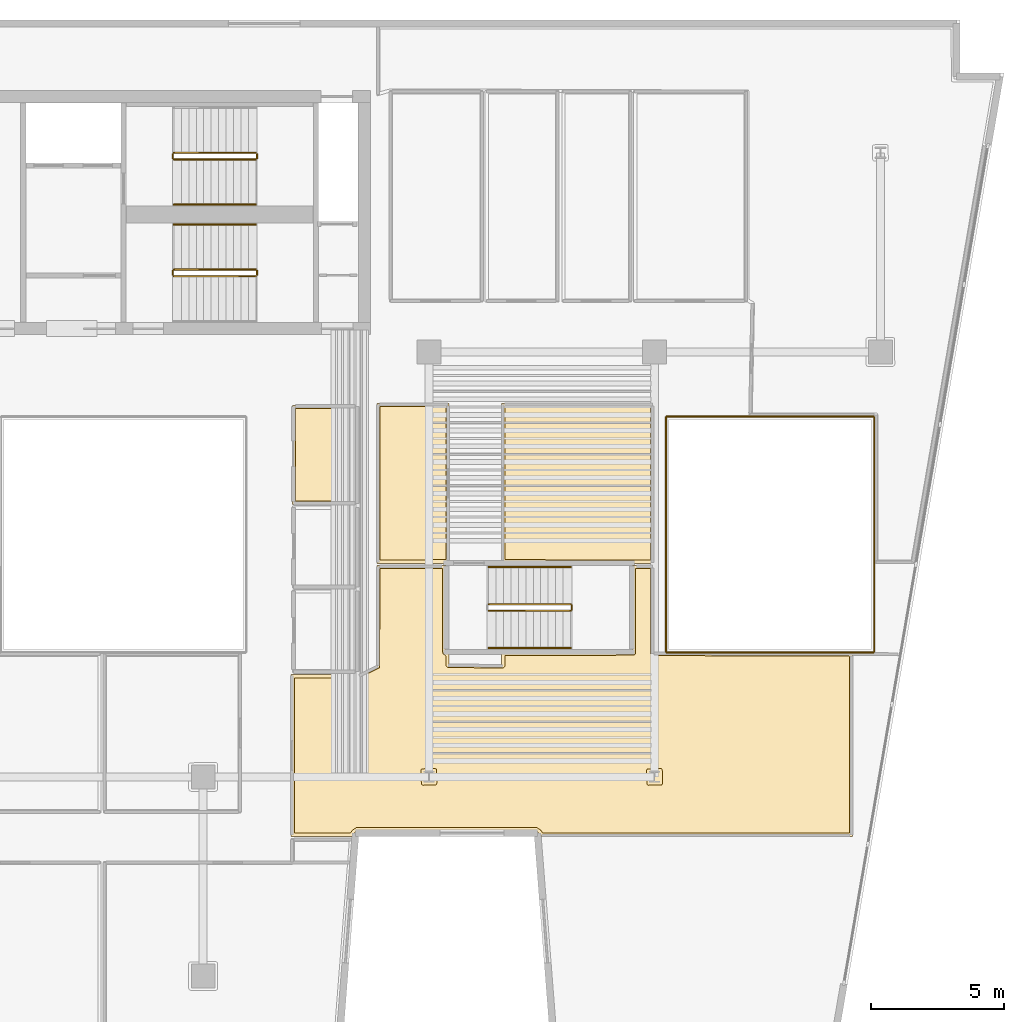
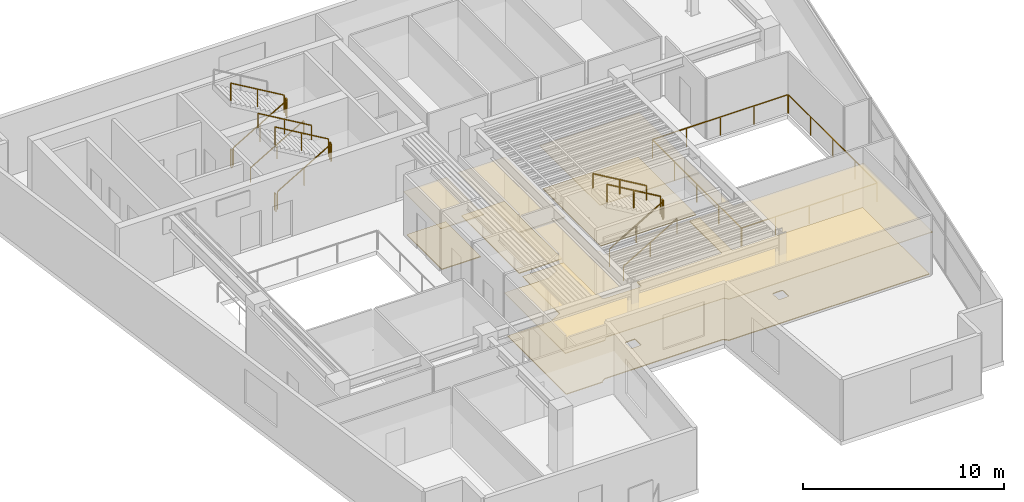
# One storey, part 8 of 9: 19 railings, 8 coverings.
"""IFC4 building model written with IfcOpenShell, lengths in metres."""

from ifc_helpers import new_model, si_unit, direction, frame, origin, origin_2d, place, context, subcontext, project, spatial, polyline, rectangle, outline, extrude, material, layer, layer_set, type_object, element, save


model = new_model("IFC4")

# Units and contexts
model_context = context("Model", 3, precision=1e-05, world=origin(), true_north=direction((0.0, 1.0)))
body_context = subcontext(model_context, "Body", "Model", "MODEL_VIEW")
ifc_project = project(units=[si_unit("LENGTHUNIT", "METRE"), si_unit("AREAUNIT", "SQUARE_METRE"), si_unit("VOLUMEUNIT", "CUBIC_METRE"), si_unit("PLANEANGLEUNIT", "RADIAN"), si_unit("MASSUNIT", "GRAM", prefix="KILO")], contexts=[model_context])

# Site, building, storey
site_placement = place(None, origin())
site = spatial("IfcSite", under=ifc_project, at=site_placement, CompositionType="ELEMENT")
building_placement = place(site_placement, origin())
building = spatial("IfcBuilding", under=site, at=building_placement, Name="Caeloran Harvest Quay", CompositionType="ELEMENT")
storey_placement = place(building_placement, frame((0.0, 0.0, 199.550048828125)))
storey = spatial("IfcBuildingStorey", under=building, at=storey_placement, Name="L47", CompositionType="ELEMENT", Elevation=199.550048828125)

# Coverings
ifc_material_1 = material(Name="Perforated Mineral-Fibre Acoustic Ceiling Tile", Category="ceiling")
ifc_layer_1 = layer(ifc_material_1, 0.0400390625, Name="Perforated Mineral-Fibre Acoustic Ceiling Tile")
ifc_layer_set_1 = layer_set([ifc_layer_1], Name="Perforated Mineral-Fibre Acoustic Ceiling Tile")
covering_type_1 = type_object("IfcCoveringType", Name="COV-CEILING-ACOUSTIC", PredefinedType="CEILING", material=ifc_layer_set_1)
covering_1_placement = place(storey_placement, frame((0.0, 0.0, 2.599853515625)))
element("IfcCovering", 1, at=covering_1_placement, inside=storey, type_object=covering_type_1, Name="L47 Male Washroom WC Acoustic Ceiling", PredefinedType="CEILING", context=body_context, shape_type="SweptSolid", body=[
    extrude(outline(polyline([(22.840087890625, 28.989990234375), (22.840087890625, 25.260009765625), (20.360107421875, 25.260009765625), (20.360107421875, 28.989990234375), (22.840087890625, 28.989990234375)])), origin(), (0.0, 0.0, 1.0), 0.0400390625),
])
covering_2_placement = place(storey_placement, frame((0.0, 0.0, 2.599853515625)))
element("IfcCovering", 2, at=covering_2_placement, inside=storey, type_object=covering_type_1, Name="Corporate Legal Counsel Office Acoustic Ceiling", PredefinedType="CEILING", context=body_context, shape_type="SweptSolid", body=[
    extrude(outline(polyline([(33.159912109375, 22.9599609375), (33.9599609375, 22.9599609375), (33.9599609375, 19.679931640625), (41.4599609375, 19.659912109375), (41.4599609375, 12.760009765625), (29.727294921875, 12.760009765625), (29.64111328125, 12.887451171875), (29.54150390625, 12.969970703125), (22.78515625, 12.969970703125), (22.685302734375, 12.887451171875), (22.59912109375, 12.760009765625), (20.31005859375, 12.760009765625), (20.31005859375, 18.85009765625), (22.87353515625, 18.85009765625), (23.5400390625, 19.184814453125), (23.5400390625, 22.9599609375), (26.139892578125, 22.9599609375), (26.139892578125, 19.69921875), (26.260009765625, 19.604248046875), (26.260009765625, 19.239501953125), (28.239990234375, 19.210693359375), (28.239990234375, 19.68994140625), (33.159912109375, 19.68994140625), (33.159912109375, 22.9599609375)])), origin(), (0.0, 0.0, 1.0), 0.0400390625),
])
covering_3_placement = place(storey_placement, frame((0.0, 0.0, 2.599853515625)))
element("IfcCovering", 3, at=covering_3_placement, inside=storey, type_object=covering_type_1, Name="Interview Meeting Room Acoustic Ceiling", PredefinedType="CEILING", context=body_context, shape_type="SweptSolid", body=[
    extrude(outline(polyline([(26.13720703125, 23.06005859375), (26.1298828125, 23.0400390625), (23.5400390625, 23.0400390625), (23.5400390625, 29.06005859375), (26.260009765625, 29.06005859375), (26.260009765625, 23.06005859375), (26.13720703125, 23.06005859375)])), origin(), (0.0, 0.0, 1.0), 0.0400390625),
])
covering_4_placement = place(storey_placement, frame((0.0, 0.0, 2.599853515625)))
element("IfcCovering", 4, at=covering_4_placement, inside=storey, type_object=covering_type_1, Name="Staff Tea Kitchen Acoustic Ceiling", PredefinedType="CEILING", context=body_context, shape_type="SweptSolid", body=[
    extrude(outline(polyline([(33.162841796875, 23.06005859375), (28.239990234375, 23.06005859375), (28.239990234375, 29.06005859375), (33.9599609375, 29.06005859375), (33.9599609375, 23.0400390625), (33.170166015625, 23.0400390625), (33.162841796875, 23.06005859375)])), origin(), (0.0, 0.0, 1.0), 0.0400390625),
])
ifc_material_2 = material(Name="Calcium-Sulphate Raised Access Floor and Terrazzo Finish", Category="flooring")
ifc_layer_2 = layer(ifc_material_2, 0.050048828125, Name="Calcium-Sulphate Raised Access Floor and Terrazzo Finish")
ifc_layer_set_2 = layer_set([ifc_layer_2], Name="Calcium-Sulphate Raised Access Floor and Terrazzo Finish")
covering_type_2 = type_object("IfcCoveringType", Name="COV-FLOOR-RAISED", PredefinedType="FLOORING", material=ifc_layer_set_2)
covering_5_placement = place(storey_placement, origin())
element("IfcCovering", 5, at=covering_5_placement, inside=storey, type_object=covering_type_2, Name="L47 Male Washroom WC Raised Finish Flooring", PredefinedType="FLOORING", context=body_context, shape_type="SweptSolid", body=[
    extrude(outline(polyline([(22.719970703125, 28.8701171875), (22.719970703125, 25.3798828125), (20.47998046875, 25.3798828125), (20.47998046875, 28.8701171875), (22.719970703125, 28.8701171875)])), origin(), (0.0, 0.0, 1.0), 0.050048828125),
])
covering_6_placement = place(storey_placement, origin())
element("IfcCovering", 6, at=covering_6_placement, inside=storey, type_object=covering_type_2, Name="Corporate Legal Counsel Office Raised Finish Flooring", PredefinedType="FLOORING", context=body_context, shape_type="SweptSolid", body=[
    extrude(outline(polyline([(22.54296875, 12.8798828125), (20.429931640625, 12.8798828125), (20.429931640625, 18.72998046875), (22.890380859375, 18.73046875), (23.64111328125, 19.1083984375), (23.659912109375, 22.840087890625), (26.02001953125, 22.840087890625), (26.02001953125, 19.679931640625), (26.038818359375, 19.62841796875), (26.139892578125, 19.54638671875), (26.1416015625, 19.1845703125), (26.203369140625, 19.12158203125), (28.294677734375, 19.09130859375), (28.359619140625, 19.162109375), (28.360107421875, 19.570068359375), (33.23779296875, 19.579345703125), (33.280029296875, 19.64990234375), (33.280029296875, 22.840087890625), (33.840087890625, 22.840087890625), (33.840087890625, 19.639892578125), (33.88916015625, 19.566162109375), (41.340087890625, 19.540283203125), (41.340087890625, 12.8798828125), (29.783447265625, 12.8798828125), (29.709716796875, 12.990478515625), (29.559326171875, 13.090087890625), (22.76708984375, 13.090087890625), (22.616943359375, 12.990478515625), (22.54296875, 12.8798828125)]), holes=[polyline([(34.302490234375, 14.754150390625), (34.284912109375, 15.288818359375), (34.230712890625, 15.317626953125), (33.726318359375, 15.2998046875), (33.697021484375, 15.238037109375), (33.715087890625, 14.711181640625), (33.777099609375, 14.681884765625), (34.273681640625, 14.7001953125), (34.302490234375, 14.754150390625)]), polyline([(25.802490234375, 14.754150390625), (25.784912109375, 15.288818359375), (25.730712890625, 15.317626953125), (25.226318359375, 15.2998046875), (25.197021484375, 15.238037109375), (25.215087890625, 14.711181640625), (25.277099609375, 14.681884765625), (25.773681640625, 14.7001953125), (25.802490234375, 14.754150390625)])]), origin(), (0.0, 0.0, 1.0), 0.050048828125),
])
covering_7_placement = place(storey_placement, origin())
element("IfcCovering", 7, at=covering_7_placement, inside=storey, type_object=covering_type_2, Name="Interview Meeting Room Raised Finish Flooring", PredefinedType="FLOORING", context=body_context, shape_type="SweptSolid", body=[
    extrude(outline(polyline([(26.139892578125, 23.179931640625), (23.659912109375, 23.159912109375), (23.659912109375, 28.93994140625), (26.139892578125, 28.93994140625), (26.139892578125, 23.179931640625)])), origin(), (0.0, 0.0, 1.0), 0.050048828125),
])
covering_8_placement = place(storey_placement, origin())
element("IfcCovering", 8, at=covering_8_placement, inside=storey, type_object=covering_type_2, Name="Staff Tea Kitchen Raised Finish Flooring", PredefinedType="FLOORING", context=body_context, shape_type="SweptSolid", body=[
    extrude(outline(polyline([(33.840087890625, 23.159912109375), (28.360107421875, 23.179931640625), (28.360107421875, 28.93994140625), (33.840087890625, 28.93994140625), (33.840087890625, 23.159912109375)])), origin(), (0.0, 0.0, 1.0), 0.050048828125),
])

# Railings
ifc_material_3 = material(Name="Powder-Coated Steel Post and Laminated Glass Guardrail", Category="steel")
ifc_layer_3 = layer(ifc_material_3, 0.06005859375, Name="Powder-Coated Steel Post and Laminated Glass Guardrail")
ifc_layer_set_3 = layer_set([ifc_layer_3], Name="Powder-Coated Steel Post and Laminated Glass Guardrail")
railing_type_1 = type_object("IfcRailingType", Name="GUARD-ATRIUM-1150", PredefinedType="GUARDRAIL", material=ifc_layer_set_3)
railing_1_placement = place(storey_placement, frame((34.4619140625, 19.679931640625, 0.0)))
element("IfcRailing", 9, at=railing_1_placement, inside=storey, type_object=railing_type_1, Name="L47 East Botanical Lightwell Guardrail Seg 1", PredefinedType="GUARDRAIL", context=body_context, shape_type="SweptSolid", body=[
    extrude(rectangle(XDim=0.048095703125, YDim=0.048095703125, at=origin_2d()), frame((0.0, 0.0, 1.1259765625), z_axis=(1.0, 0.0, 0.0), x_axis=(0.0, 1.0, 0.0)), (0.0, 0.0, 1.0), 7.776123046875),
    extrude(rectangle(XDim=0.0419921875, YDim=0.0419921875, at=origin_2d()), origin(), (0.0, 0.0, 1.0), 1.101806640625),
    extrude(rectangle(XDim=0.0419921875, YDim=0.0419921875, at=origin_2d()), frame((1.944091796875, 0.0, 0.0)), (0.0, 0.0, 1.0), 1.101806640625),
    extrude(rectangle(XDim=0.0419921875, YDim=0.0419921875, at=origin_2d()), frame((3.88818359375, 0.0, 0.0)), (0.0, 0.0, 1.0), 1.101806640625),
    extrude(rectangle(XDim=0.0419921875, YDim=0.0419921875, at=origin_2d()), frame((5.83203125, 0.0, 0.0)), (0.0, 0.0, 1.0), 1.101806640625),
    extrude(rectangle(XDim=0.0419921875, YDim=0.0419921875, at=origin_2d()), frame((7.776123046875, 0.0, 0.0)), (0.0, 0.0, 1.0), 1.101806640625),
])
railing_2_placement = place(storey_placement, frame((42.27001953125, 19.7119140625, 0.0)))
element("IfcRailing", 10, at=railing_2_placement, inside=storey, type_object=railing_type_1, Name="L47 East Botanical Lightwell Guardrail Seg 2", PredefinedType="GUARDRAIL", context=body_context, shape_type="SweptSolid", body=[
    extrude(rectangle(XDim=0.048095703125, YDim=0.048095703125, at=origin_2d()), frame((0.0, 0.0, 1.1259765625), z_axis=(0.0, 1.0, 0.0), x_axis=(-1.0, 0.0, 0.0)), (0.0, 0.0, 1.0), 8.826171875),
    extrude(rectangle(XDim=0.0419921875, YDim=0.0419921875, at=origin_2d()), origin(), (0.0, 0.0, 1.0), 1.101806640625),
    extrude(rectangle(XDim=0.0419921875, YDim=0.0419921875, at=origin_2d()), frame((0.0, 2.20654296875, 0.0)), (0.0, 0.0, 1.0), 1.101806640625),
    extrude(rectangle(XDim=0.0419921875, YDim=0.0419921875, at=origin_2d()), frame((0.0, 4.4130859375, 0.0)), (0.0, 0.0, 1.0), 1.101806640625),
    extrude(rectangle(XDim=0.0419921875, YDim=0.0419921875, at=origin_2d()), frame((0.0, 6.61962890625, 0.0)), (0.0, 0.0, 1.0), 1.101806640625),
    extrude(rectangle(XDim=0.0419921875, YDim=0.0419921875, at=origin_2d()), frame((0.0, 8.826171875, 0.0)), (0.0, 0.0, 1.0), 1.101806640625),
])
railing_3_placement = place(storey_placement, frame((42.238037109375, 28.570068359375, 0.0)))
element("IfcRailing", 11, at=railing_3_placement, inside=storey, type_object=railing_type_1, Name="L47 East Botanical Lightwell Guardrail Seg 3", PredefinedType="GUARDRAIL", context=body_context, shape_type="SweptSolid", body=[
    extrude(rectangle(XDim=0.048095703125, YDim=0.048095703125, at=origin_2d()), frame((0.0, 0.0, 1.1259765625), z_axis=(-1.0, 0.0, 0.0), x_axis=(0.0, -1.0, 0.0)), (0.0, 0.0, 1.0), 7.776123046875),
    extrude(rectangle(XDim=0.0419921875, YDim=0.0419921875, at=origin_2d()), origin(), (0.0, 0.0, 1.0), 1.101806640625),
    extrude(rectangle(XDim=0.0419921875, YDim=0.0419921875, at=origin_2d()), frame((-1.944091796875, 0.0, 0.0)), (0.0, 0.0, 1.0), 1.101806640625),
    extrude(rectangle(XDim=0.0419921875, YDim=0.0419921875, at=origin_2d()), frame((-3.88818359375, 0.0, 0.0)), (0.0, 0.0, 1.0), 1.101806640625),
    extrude(rectangle(XDim=0.0419921875, YDim=0.0419921875, at=origin_2d()), frame((-5.83203125, 0.0, 0.0)), (0.0, 0.0, 1.0), 1.101806640625),
    extrude(rectangle(XDim=0.0419921875, YDim=0.0419921875, at=origin_2d()), frame((-7.776123046875, 0.0, 0.0)), (0.0, 0.0, 1.0), 1.101806640625),
])
railing_4_placement = place(storey_placement, frame((34.429931640625, 28.5380859375, 0.0)))
element("IfcRailing", 12, at=railing_4_placement, inside=storey, type_object=railing_type_1, Name="L47 East Botanical Lightwell Guardrail Seg 4", PredefinedType="GUARDRAIL", context=body_context, shape_type="SweptSolid", body=[
    extrude(rectangle(XDim=0.048095703125, YDim=0.048095703125, at=origin_2d()), frame((0.0, 0.0, 1.1259765625), z_axis=(0.0, -1.0, 0.0), x_axis=(1.0, 0.0, 0.0)), (0.0, 0.0, 1.0), 8.826171875),
    extrude(rectangle(XDim=0.0419921875, YDim=0.0419921875, at=origin_2d()), origin(), (0.0, 0.0, 1.0), 1.101806640625),
    extrude(rectangle(XDim=0.0419921875, YDim=0.0419921875, at=origin_2d()), frame((0.0, -2.20654296875, 0.0)), (0.0, 0.0, 1.0), 1.101806640625),
    extrude(rectangle(XDim=0.0419921875, YDim=0.0419921875, at=origin_2d()), frame((0.0, -4.4130859375, 0.0)), (0.0, 0.0, 1.0), 1.101806640625),
    extrude(rectangle(XDim=0.0419921875, YDim=0.0419921875, at=origin_2d()), frame((0.0, -6.61962890625, 0.0)), (0.0, 0.0, 1.0), 1.101806640625),
    extrude(rectangle(XDim=0.0419921875, YDim=0.0419921875, at=origin_2d()), frame((0.0, -8.826171875, 0.0)), (0.0, 0.0, 1.0), 1.101806640625),
])
ifc_material_4 = material(Name="Painted Steel Baluster and Top-Rail Stair Guard", Category="steel")
ifc_layer_4 = layer(ifc_material_4, 0.050048828125, Name="Painted Steel Baluster and Top-Rail Stair Guard")
ifc_layer_set_4 = layer_set([ifc_layer_4], Name="Painted Steel Baluster and Top-Rail Stair Guard")
railing_type_2 = type_object("IfcRailingType", Name="STAIR-GUARD-1100", PredefinedType="GUARDRAIL", material=ifc_layer_set_4)
railing_5_placement = place(storey_placement, frame((15.89990234375, 38.25, 0.16455078125)))
element("IfcRailing", 13, at=railing_5_placement, inside=storey, type_object=railing_type_2, Name="L47 ST-C1 stair guard 1", PredefinedType="GUARDRAIL", context=body_context, shape_type="SweptSolid", body=[
    extrude(rectangle(XDim=0.048095703125, YDim=0.048095703125, at=origin_2d()), frame((0.0, 0.0, 1.076171875), z_axis=(0.862118610829, 0.0, 0.506706523406), x_axis=(0.0, 1.0, 0.0)), (0.0, 0.0, 1.0), 3.57275390625),
    extrude(rectangle(XDim=0.0419921875, YDim=0.0419921875, at=origin_2d()), origin(), (0.0, 0.0, 1.0), 1.052001953125),
    extrude(rectangle(XDim=0.0419921875, YDim=0.0419921875, at=origin_2d()), frame((1.5400390625, 0.0, 0.9052734375)), (0.0, 0.0, 1.0), 1.052001953125),
    extrude(rectangle(XDim=0.0419921875, YDim=0.0419921875, at=origin_2d()), frame((3.080078125, 0.0, 1.810302734375)), (0.0, 0.0, 1.0), 1.052001953125),
])
railing_6_placement = place(storey_placement, frame((19.030029296875, 38.300048828125, 1.974853515625)))
element("IfcRailing", 14, at=railing_6_placement, inside=storey, type_object=railing_type_2, Name="L47 ST-C1 stair guard 2", PredefinedType="GUARDRAIL", context=body_context, shape_type="SweptSolid", body=[
    extrude(rectangle(XDim=0.048095703125, YDim=0.048095703125, at=origin_2d()), frame((0.0, 0.0, 1.076171875), z_axis=(0.0, 1.0, 0.0), x_axis=(-1.0, 0.0, 0.0)), (0.0, 0.0, 1.0), 0.14990234375),
    extrude(rectangle(XDim=0.0419921875, YDim=0.0419921875, at=origin_2d()), origin(), (0.0, 0.0, 1.0), 1.052001953125),
    extrude(rectangle(XDim=0.0419921875, YDim=0.0419921875, at=origin_2d()), frame((0.0, 0.14990234375, 0.0)), (0.0, 0.0, 1.0), 1.052001953125),
])
railing_7_placement = place(storey_placement, frame((18.97998046875, 38.5, 2.1396484375)))
element("IfcRailing", 15, at=railing_7_placement, inside=storey, type_object=railing_type_2, Name="L47 ST-C1 stair guard 3", PredefinedType="GUARDRAIL", context=body_context, shape_type="SweptSolid", body=[
    extrude(rectangle(XDim=0.048095703125, YDim=0.048095703125, at=origin_2d()), frame((0.0, 0.0, 1.076171875), z_axis=(-0.862118610829, 0.0, 0.506706523406), x_axis=(0.0, -1.0, 0.0)), (0.0, 0.0, 1.0), 3.57275390625),
    extrude(rectangle(XDim=0.0419921875, YDim=0.0419921875, at=origin_2d()), origin(), (0.0, 0.0, 1.0), 1.052001953125),
    extrude(rectangle(XDim=0.0419921875, YDim=0.0419921875, at=origin_2d()), frame((-1.5400390625, 0.0, 0.9052734375)), (0.0, 0.0, 1.0), 1.052001953125),
    extrude(rectangle(XDim=0.0419921875, YDim=0.0419921875, at=origin_2d()), frame((-3.080078125, 0.0, 1.810302734375)), (0.0, 0.0, 1.0), 1.052001953125),
])
railing_8_placement = place(storey_placement, frame((15.85009765625, 38.300048828125, 0.0)))
element("IfcRailing", 16, at=railing_8_placement, inside=storey, type_object=railing_type_2, Name="L47 ST-C1 stair guard 4", PredefinedType="GUARDRAIL", context=body_context, shape_type="SweptSolid", body=[
    extrude(rectangle(XDim=0.048095703125, YDim=0.048095703125, at=origin_2d()), frame((0.0, 0.0, 1.076171875), z_axis=(0.0, 1.0, 0.0), x_axis=(-1.0, 0.0, 0.0)), (0.0, 0.0, 1.0), 0.14990234375),
    extrude(rectangle(XDim=0.0419921875, YDim=0.0419921875, at=origin_2d()), origin(), (0.0, 0.0, 1.0), 1.052001953125),
    extrude(rectangle(XDim=0.0419921875, YDim=0.0419921875, at=origin_2d()), frame((0.0, 0.14990234375, 0.0)), (0.0, 0.0, 1.0), 1.052001953125),
])
railing_9_placement = place(storey_placement, frame((15.89990234375, 33.85009765625, 0.16455078125)))
element("IfcRailing", 17, at=railing_9_placement, inside=storey, type_object=railing_type_2, Name="L47 ST-C2 stair guard 1", PredefinedType="GUARDRAIL", context=body_context, shape_type="SweptSolid", body=[
    extrude(rectangle(XDim=0.048095703125, YDim=0.048095703125, at=origin_2d()), frame((0.0, 0.0, 1.076171875), z_axis=(0.862118610829, 0.0, 0.506706523406), x_axis=(0.0, 1.0, 0.0)), (0.0, 0.0, 1.0), 3.57275390625),
    extrude(rectangle(XDim=0.0419921875, YDim=0.0419921875, at=origin_2d()), origin(), (0.0, 0.0, 1.0), 1.052001953125),
    extrude(rectangle(XDim=0.0419921875, YDim=0.0419921875, at=origin_2d()), frame((1.5400390625, 0.0, 0.9052734375)), (0.0, 0.0, 1.0), 1.052001953125),
    extrude(rectangle(XDim=0.0419921875, YDim=0.0419921875, at=origin_2d()), frame((3.080078125, 0.0, 1.810302734375)), (0.0, 0.0, 1.0), 1.052001953125),
])
railing_10_placement = place(storey_placement, frame((19.030029296875, 33.89990234375, 1.974853515625)))
element("IfcRailing", 18, at=railing_10_placement, inside=storey, type_object=railing_type_2, Name="L47 ST-C2 stair guard 2", PredefinedType="GUARDRAIL", context=body_context, shape_type="SweptSolid", body=[
    extrude(rectangle(XDim=0.048095703125, YDim=0.048095703125, at=origin_2d()), frame((0.0, 0.0, 1.076171875), z_axis=(0.0, 1.0, 0.0), x_axis=(-1.0, 0.0, 0.0)), (0.0, 0.0, 1.0), 0.150146484375),
    extrude(rectangle(XDim=0.0419921875, YDim=0.0419921875, at=origin_2d()), origin(), (0.0, 0.0, 1.0), 1.052001953125),
    extrude(rectangle(XDim=0.0419921875, YDim=0.0419921875, at=origin_2d()), frame((0.0, 0.150146484375, 0.0)), (0.0, 0.0, 1.0), 1.052001953125),
])
railing_11_placement = place(storey_placement, frame((18.97998046875, 34.10009765625, 2.1396484375)))
element("IfcRailing", 19, at=railing_11_placement, inside=storey, type_object=railing_type_2, Name="L47 ST-C2 stair guard 3", PredefinedType="GUARDRAIL", context=body_context, shape_type="SweptSolid", body=[
    extrude(rectangle(XDim=0.048095703125, YDim=0.048095703125, at=origin_2d()), frame((0.0, 0.0, 1.076171875), z_axis=(-0.862118610829, 0.0, 0.506706523406), x_axis=(0.0, -1.0, 0.0)), (0.0, 0.0, 1.0), 3.57275390625),
    extrude(rectangle(XDim=0.0419921875, YDim=0.0419921875, at=origin_2d()), origin(), (0.0, 0.0, 1.0), 1.052001953125),
    extrude(rectangle(XDim=0.0419921875, YDim=0.0419921875, at=origin_2d()), frame((-1.5400390625, 0.0, 0.9052734375)), (0.0, 0.0, 1.0), 1.052001953125),
    extrude(rectangle(XDim=0.0419921875, YDim=0.0419921875, at=origin_2d()), frame((-3.080078125, 0.0, 1.810302734375)), (0.0, 0.0, 1.0), 1.052001953125),
])
railing_12_placement = place(storey_placement, frame((15.85009765625, 33.89990234375, 0.0)))
element("IfcRailing", 20, at=railing_12_placement, inside=storey, type_object=railing_type_2, Name="L47 ST-C2 stair guard 4", PredefinedType="GUARDRAIL", context=body_context, shape_type="SweptSolid", body=[
    extrude(rectangle(XDim=0.048095703125, YDim=0.048095703125, at=origin_2d()), frame((0.0, 0.0, 1.076171875), z_axis=(0.0, 1.0, 0.0), x_axis=(-1.0, 0.0, 0.0)), (0.0, 0.0, 1.0), 0.150146484375),
    extrude(rectangle(XDim=0.0419921875, YDim=0.0419921875, at=origin_2d()), origin(), (0.0, 0.0, 1.0), 1.052001953125),
    extrude(rectangle(XDim=0.0419921875, YDim=0.0419921875, at=origin_2d()), frame((0.0, 0.150146484375, 0.0)), (0.0, 0.0, 1.0), 1.052001953125),
])
railing_13_placement = place(storey_placement, frame((27.75, 21.25, 0.16455078125)))
element("IfcRailing", 21, at=railing_13_placement, inside=storey, type_object=railing_type_2, Name="L47 ST-W1 stair guard 1", PredefinedType="GUARDRAIL", context=body_context, shape_type="SweptSolid", body=[
    extrude(rectangle(XDim=0.048095703125, YDim=0.048095703125, at=origin_2d()), frame((0.0, 0.0, 1.076171875), z_axis=(0.862118610829, 0.0, 0.506706523406), x_axis=(0.0, 1.0, 0.0)), (0.0, 0.0, 1.0), 3.57275390625),
    extrude(rectangle(XDim=0.0419921875, YDim=0.0419921875, at=origin_2d()), origin(), (0.0, 0.0, 1.0), 1.052001953125),
    extrude(rectangle(XDim=0.0419921875, YDim=0.0419921875, at=origin_2d()), frame((1.5400390625, 0.0, 0.9052734375)), (0.0, 0.0, 1.0), 1.052001953125),
    extrude(rectangle(XDim=0.0419921875, YDim=0.0419921875, at=origin_2d()), frame((3.080078125, 0.0, 1.810302734375)), (0.0, 0.0, 1.0), 1.052001953125),
])
railing_14_placement = place(storey_placement, frame((30.8798828125, 21.300048828125, 1.974853515625)))
element("IfcRailing", 22, at=railing_14_placement, inside=storey, type_object=railing_type_2, Name="L47 ST-W1 stair guard 2", PredefinedType="GUARDRAIL", context=body_context, shape_type="SweptSolid", body=[
    extrude(rectangle(XDim=0.048095703125, YDim=0.048095703125, at=origin_2d()), frame((0.0, 0.0, 1.076171875), z_axis=(0.0, 1.0, 0.0), x_axis=(-1.0, 0.0, 0.0)), (0.0, 0.0, 1.0), 0.14990234375),
    extrude(rectangle(XDim=0.0419921875, YDim=0.0419921875, at=origin_2d()), origin(), (0.0, 0.0, 1.0), 1.052001953125),
    extrude(rectangle(XDim=0.0419921875, YDim=0.0419921875, at=origin_2d()), frame((0.0, 0.14990234375, 0.0)), (0.0, 0.0, 1.0), 1.052001953125),
])
railing_15_placement = place(storey_placement, frame((30.830078125, 21.5, 2.1396484375)))
element("IfcRailing", 23, at=railing_15_placement, inside=storey, type_object=railing_type_2, Name="L47 ST-W1 stair guard 3", PredefinedType="GUARDRAIL", context=body_context, shape_type="SweptSolid", body=[
    extrude(rectangle(XDim=0.048095703125, YDim=0.048095703125, at=origin_2d()), frame((0.0, 0.0, 1.076171875), z_axis=(-0.862118610829, 0.0, 0.506706523406), x_axis=(0.0, -1.0, 0.0)), (0.0, 0.0, 1.0), 3.57275390625),
    extrude(rectangle(XDim=0.0419921875, YDim=0.0419921875, at=origin_2d()), origin(), (0.0, 0.0, 1.0), 1.052001953125),
    extrude(rectangle(XDim=0.0419921875, YDim=0.0419921875, at=origin_2d()), frame((-1.5400390625, 0.0, 0.9052734375)), (0.0, 0.0, 1.0), 1.052001953125),
    extrude(rectangle(XDim=0.0419921875, YDim=0.0419921875, at=origin_2d()), frame((-3.080078125, 0.0, 1.810302734375)), (0.0, 0.0, 1.0), 1.052001953125),
])
ifc_material_5 = material(Name="Brushed Stainless Steel Grade 304", Category="steel")
ifc_layer_5 = layer(ifc_material_5, 0.050048828125, Name="Brushed Stainless Steel Grade 304")
ifc_layer_set_5 = layer_set([ifc_layer_5], Name="Brushed Stainless Steel Grade 304")
railing_type_3 = type_object("IfcRailingType", Name="STAIR-HANDRAIL-900", PredefinedType="HANDRAIL", material=ifc_layer_set_5)
railing_16_placement = place(storey_placement, frame((15.89990234375, 36.550048828125, 0.16455078125)))
element("IfcRailing", 24, at=railing_16_placement, inside=storey, type_object=railing_type_3, Name="L47 ST-C1 stair handrail 1", PredefinedType="HANDRAIL", context=body_context, shape_type="SweptSolid", body=[
    extrude(rectangle(XDim=0.048095703125, YDim=0.048095703125, at=origin_2d()), frame((0.0, 0.0, 0.8759765625), z_axis=(0.862118610829, 0.0, 0.506706523406), x_axis=(0.0, 1.0, 0.0)), (0.0, 0.0, 1.0), 3.57275390625),
    extrude(rectangle(XDim=0.0419921875, YDim=0.0419921875, at=origin_2d()), origin(), (0.0, 0.0, 1.0), 0.851806640625),
    extrude(rectangle(XDim=0.0419921875, YDim=0.0419921875, at=origin_2d()), frame((1.5400390625, 0.0, 0.9052734375)), (0.0, 0.0, 1.0), 0.851806640625),
    extrude(rectangle(XDim=0.0419921875, YDim=0.0419921875, at=origin_2d()), frame((3.080078125, 0.0, 1.810302734375)), (0.0, 0.0, 1.0), 0.851806640625),
])
railing_17_placement = place(storey_placement, frame((18.97998046875, 35.800048828125, 2.1396484375)))
element("IfcRailing", 25, at=railing_17_placement, inside=storey, type_object=railing_type_3, Name="L47 ST-C2 stair handrail 2", PredefinedType="HANDRAIL", context=body_context, shape_type="SweptSolid", body=[
    extrude(rectangle(XDim=0.048095703125, YDim=0.048095703125, at=origin_2d()), frame((0.0, 0.0, 0.8759765625), z_axis=(-0.862118610829, 0.0, 0.506706523406), x_axis=(0.0, -1.0, 0.0)), (0.0, 0.0, 1.0), 3.57275390625),
    extrude(rectangle(XDim=0.0419921875, YDim=0.0419921875, at=origin_2d()), origin(), (0.0, 0.0, 1.0), 0.851806640625),
    extrude(rectangle(XDim=0.0419921875, YDim=0.0419921875, at=origin_2d()), frame((-1.5400390625, 0.0, 0.9052734375)), (0.0, 0.0, 1.0), 0.851806640625),
    extrude(rectangle(XDim=0.0419921875, YDim=0.0419921875, at=origin_2d()), frame((-3.080078125, 0.0, 1.810302734375)), (0.0, 0.0, 1.0), 0.851806640625),
])
railing_18_placement = place(storey_placement, frame((27.75, 19.85009765625, 0.16455078125)))
element("IfcRailing", 26, at=railing_18_placement, inside=storey, type_object=railing_type_3, Name="L47 ST-W1 stair handrail 1", PredefinedType="HANDRAIL", context=body_context, shape_type="SweptSolid", body=[
    extrude(rectangle(XDim=0.048095703125, YDim=0.048095703125, at=origin_2d()), frame((0.0, 0.0, 0.8759765625), z_axis=(0.862118610829, 0.0, 0.506706523406), x_axis=(0.0, 1.0, 0.0)), (0.0, 0.0, 1.0), 3.57275390625),
    extrude(rectangle(XDim=0.0419921875, YDim=0.0419921875, at=origin_2d()), origin(), (0.0, 0.0, 1.0), 0.851806640625),
    extrude(rectangle(XDim=0.0419921875, YDim=0.0419921875, at=origin_2d()), frame((1.5400390625, 0.0, 0.9052734375)), (0.0, 0.0, 1.0), 0.851806640625),
    extrude(rectangle(XDim=0.0419921875, YDim=0.0419921875, at=origin_2d()), frame((3.080078125, 0.0, 1.810302734375)), (0.0, 0.0, 1.0), 0.851806640625),
])
railing_19_placement = place(storey_placement, frame((30.830078125, 22.89990234375, 2.1396484375)))
element("IfcRailing", 27, at=railing_19_placement, inside=storey, type_object=railing_type_3, Name="L47 ST-W1 stair handrail 2", PredefinedType="HANDRAIL", context=body_context, shape_type="SweptSolid", body=[
    extrude(rectangle(XDim=0.048095703125, YDim=0.048095703125, at=origin_2d()), frame((0.0, 0.0, 0.8759765625), z_axis=(-0.862118610829, 0.0, 0.506706523406), x_axis=(0.0, -1.0, 0.0)), (0.0, 0.0, 1.0), 3.57275390625),
    extrude(rectangle(XDim=0.0419921875, YDim=0.0419921875, at=origin_2d()), origin(), (0.0, 0.0, 1.0), 0.851806640625),
    extrude(rectangle(XDim=0.0419921875, YDim=0.0419921875, at=origin_2d()), frame((-1.5400390625, 0.0, 0.9052734375)), (0.0, 0.0, 1.0), 0.851806640625),
    extrude(rectangle(XDim=0.0419921875, YDim=0.0419921875, at=origin_2d()), frame((-3.080078125, 0.0, 1.810302734375)), (0.0, 0.0, 1.0), 0.851806640625),
])

save(model, "model.ifc")
